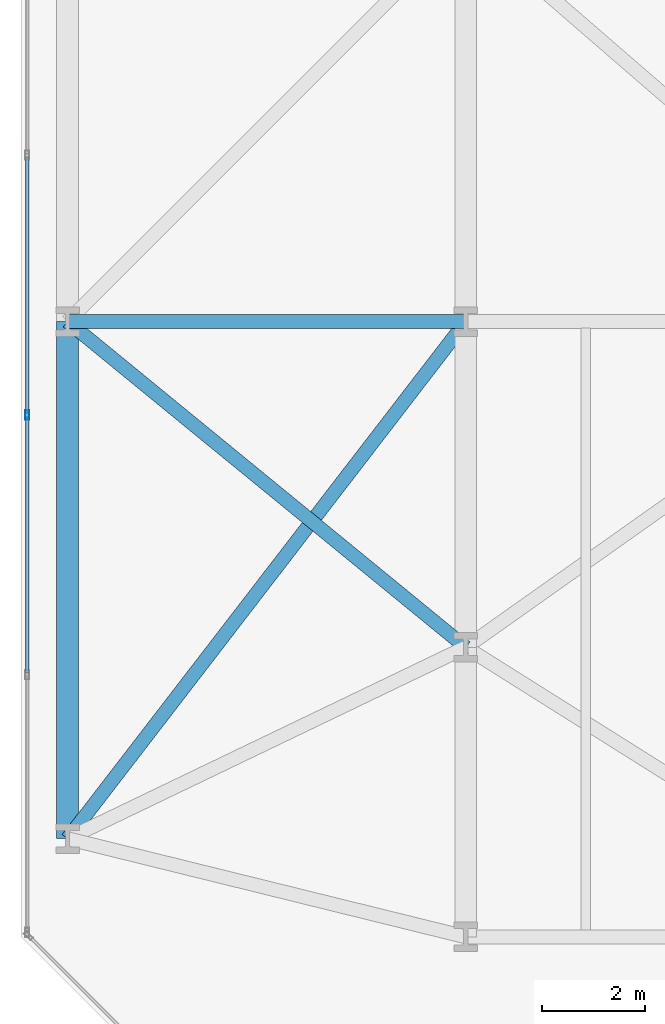
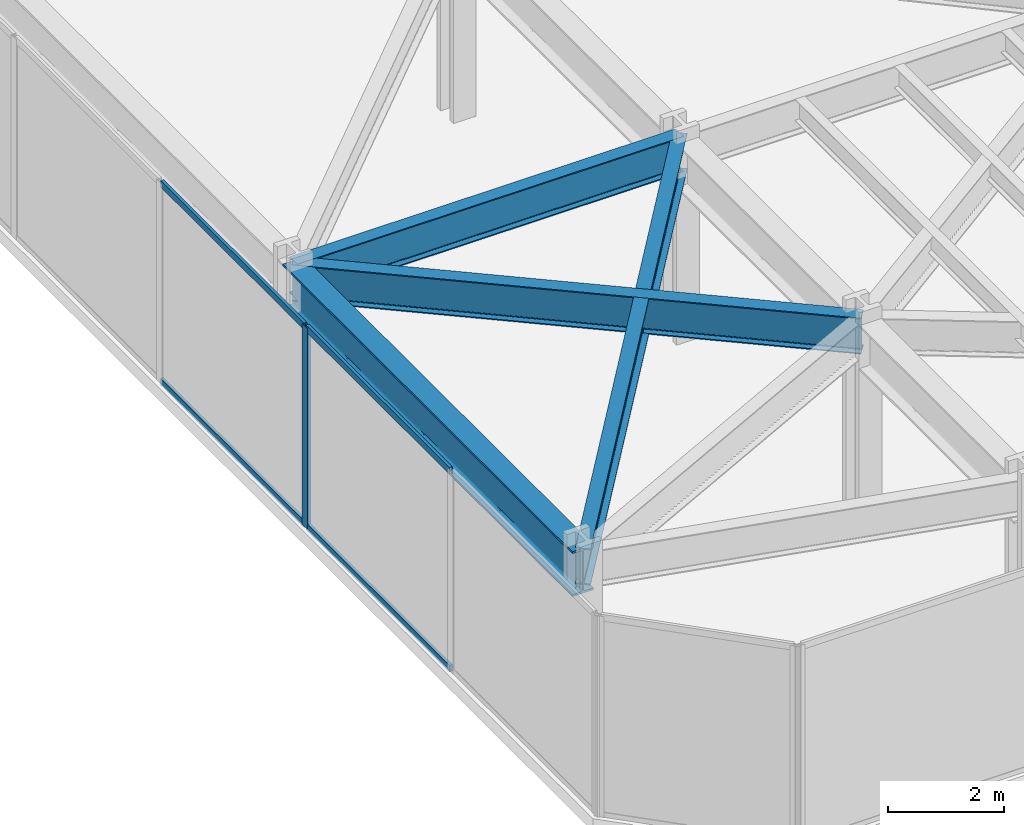
# One storey, part 4 of 28: 5 members, 4 beams, 1 element without a shape of its own.
"""IFC4 building model written with IfcOpenShell, lengths in metres."""

from ifc_helpers import new_model, si_unit, direction, frame, origin, origin_2d, place, context, subcontext, project, spatial, hollow_rectangle, i_section, extrude, material, layer, layer_set, material_profile, profile_set, type_object, element, aggregate, save


model = new_model("IFC4")

# Units and contexts
model_context = context("Model", 3, precision=1e-05, world=origin(), true_north=direction((0.0, 1.0)))
body_context = subcontext(model_context, "Body", "Model", "MODEL_VIEW")
ifc_project = project(units=[si_unit("LENGTHUNIT", "METRE"), si_unit("AREAUNIT", "SQUARE_METRE"), si_unit("VOLUMEUNIT", "CUBIC_METRE"), si_unit("PLANEANGLEUNIT", "RADIAN"), si_unit("MASSUNIT", "GRAM", prefix="KILO")], contexts=[model_context])

# Site, building, storey
site_placement = place(None, origin())
site = spatial("IfcSite", under=ifc_project, at=site_placement, CompositionType="ELEMENT")
building_placement = place(site_placement, origin())
building = spatial("IfcBuilding", under=site, at=building_placement, Name="Kravanh Interchange Tower", CompositionType="ELEMENT")
storey_placement = place(building_placement, frame((0.0, 0.0, 15.300048828125)))
storey = spatial("IfcBuildingStorey", under=building, at=storey_placement, Name="L03", CompositionType="ELEMENT", Elevation=15.300048828125)

# Curtain wall, members
ifc_material_1 = material(Name="Anodised Bronze Aluminium", Category="aluminium")
ifc_layer = layer(ifc_material_1, 0.179931640625)
ifc_layer_set = layer_set([ifc_layer], Name="Unitised Curtain Wall System CW-POD Podium Concourse")
curtain_wall_type = type_object("IfcCurtainWallType", Name="Unitised Curtain Wall System CW-POD Podium Concourse", PredefinedType="NOTDEFINED", material=ifc_layer_set)
curtain_wall_placement = place(storey_placement, origin())
curtain_wall = element("IfcCurtainWall", 1, at=curtain_wall_placement, inside=storey, type_object=curtain_wall_type, Name="L03 Unitised Curtain Wall CW-L03-01", PredefinedType="NOTDEFINED")
ifc_material_2 = material(Name="Anodised Bronze Aluminium", Category="aluminium")
ifc_material_profile_1 = material_profile(ifc_material_2, hollow_rectangle(XDim=0.070068359375, YDim=0.179931640625, WallThickness=0.00390625, at=origin_2d()), Name="ALU70X180X4")
ifc_profile_set_1 = profile_set([ifc_material_profile_1], Name="Anodised Bronze Aluminium")
member_type_1 = type_object("IfcMemberType", Name="Curtain Wall Mullion ALU70X180X4 Bronze", PredefinedType="MULLION", material=ifc_profile_set_1)
member_1_placement = place(storey_placement, frame((0.1201171875, 12.692626953125, 0.0), z_axis=(0.0, 0.0, 1.0), x_axis=(-1.0, 0.0, 0.0)))
member_1 = element("IfcMember", 2, at=member_1_placement, type_object=member_type_1, Name="CW-POD mullion 3", PredefinedType="MULLION", context=body_context, shape_type="SweptSolid", body=[
    extrude(hollow_rectangle(XDim=0.070068359375, YDim=0.179931640625, WallThickness=0.00390625, at=origin_2d()), origin(), (0.0, 0.0, 1.0), 4.22998046875),
])
ifc_material_3 = material(Name="Anodised Bronze Aluminium", Category="aluminium")
ifc_material_profile_2 = material_profile(ifc_material_3, hollow_rectangle(XDim=0.06005859375, YDim=0.139892578125, WallThickness=0.00390625, at=origin_2d()), Name="ALU60X140X4")
ifc_profile_set_2 = profile_set([ifc_material_profile_2], Name="Anodised Bronze Aluminium")
member_type_2 = type_object("IfcMemberType", Name="Curtain Wall Transom ALU60X140X4 Bronze", PredefinedType="USERDEFINED", material=ifc_profile_set_2)
member_2_placement = place(storey_placement, frame((0.1201171875, 7.7060546875, 0.030029296875), z_axis=(0.0, 1.0, 0.0), x_axis=(-1.0, 0.0, 0.0)))
member_2 = element("IfcMember", 3, at=member_2_placement, type_object=member_type_2, Name="CW-POD transom 2.1", ObjectType="TRANSOM", PredefinedType="USERDEFINED", context=body_context, shape_type="SweptSolid", body=[
    extrude(hollow_rectangle(XDim=0.06005859375, YDim=0.139892578125, WallThickness=0.00390625, at=origin_2d()), origin(), (0.0, 0.0, 1.0), 4.95166015625),
])
member_3_placement = place(storey_placement, frame((0.1201171875, 7.7060546875, 4.199951171875), z_axis=(0.0, 1.0, 0.0), x_axis=(-1.0, 0.0, 0.0)))
member_3 = element("IfcMember", 4, at=member_3_placement, type_object=member_type_2, Name="CW-POD transom 2.2", ObjectType="TRANSOM", PredefinedType="USERDEFINED", context=body_context, shape_type="SweptSolid", body=[
    extrude(hollow_rectangle(XDim=0.06005859375, YDim=0.139892578125, WallThickness=0.00390625, at=origin_2d()), origin(), (0.0, 0.0, 1.0), 4.95166015625),
])
member_4_placement = place(storey_placement, frame((0.1201171875, 12.7275390625, 0.030029296875), z_axis=(0.0, 1.0, 0.0), x_axis=(-1.0, 0.0, 0.0)))
member_4 = element("IfcMember", 5, at=member_4_placement, type_object=member_type_2, Name="CW-POD transom 3.1", ObjectType="TRANSOM", PredefinedType="USERDEFINED", context=body_context, shape_type="SweptSolid", body=[
    extrude(hollow_rectangle(XDim=0.06005859375, YDim=0.139892578125, WallThickness=0.00390625, at=origin_2d()), origin(), (0.0, 0.0, 1.0), 4.95166015625),
])
member_5_placement = place(storey_placement, frame((0.1201171875, 12.7275390625, 4.199951171875), z_axis=(0.0, 1.0, 0.0), x_axis=(-1.0, 0.0, 0.0)))
member_5 = element("IfcMember", 6, at=member_5_placement, type_object=member_type_2, Name="CW-POD transom 3.2", ObjectType="TRANSOM", PredefinedType="USERDEFINED", context=body_context, shape_type="SweptSolid", body=[
    extrude(hollow_rectangle(XDim=0.06005859375, YDim=0.139892578125, WallThickness=0.00390625, at=origin_2d()), origin(), (0.0, 0.0, 1.0), 4.95166015625),
])
aggregate(curtain_wall, [member_1, member_2, member_3, member_4, member_5])

# Beams
ifc_material_4 = material(Name="Structural Steel S450", Category="steel")
ifc_material_profile_3 = material_profile(ifc_material_4, i_section(OverallWidth=0.423095703125, OverallDepth=0.947998046875, WebThickness=0.02392578125, FlangeThickness=0.042724609375, FilletRadius=0.028076171875, at=origin_2d()), Name="W36X302")
ifc_profile_set_3 = profile_set([ifc_material_profile_3], Name="Structural Steel S450")
beam_type_1 = type_object("IfcBeamType", Name="Floor Beam W36X302 Structural Steel S450", PredefinedType="BEAM", material=ifc_profile_set_3)
beam_1_placement = place(storey_placement, frame((0.89990234375, 4.5, 3.755859375), z_axis=(0.0, 1.0, 0.0), x_axis=(-1.0, 0.0, 0.0)))
element("IfcBeam", 7, at=beam_1_placement, inside=storey, type_object=beam_type_1, Name="L03 Primary Floor Girder 122", PredefinedType="BEAM", context=body_context, shape_type="SweptSolid", body=[
    extrude(i_section(OverallWidth=0.423095703125, OverallDepth=0.947998046875, WebThickness=0.02392578125, FlangeThickness=0.042724609375, FilletRadius=0.028076171875, at=origin_2d()), origin(), (0.0, 0.0, 1.0), 10.0),
])
ifc_material_5 = material(Name="Structural Steel S355", Category="steel")
ifc_material_profile_4 = material_profile(ifc_material_5, i_section(OverallWidth=0.26708984375, OverallDepth=0.761962890625, WebThickness=0.014404296875, FlangeThickness=0.021484375, FilletRadius=0.02490234375, at=origin_2d()), Name="W30X116")
ifc_profile_set_4 = profile_set([ifc_material_profile_4], Name="Structural Steel S355")
beam_type_2 = type_object("IfcBeamType", Name="Floor Spandrel W30X116 Structural Steel S355", PredefinedType="SPANDREL", material=ifc_profile_set_4)
beam_2_placement = place(storey_placement, frame((8.60009765625, 8.199951171875, 3.848876953125), z_axis=(-0.773962765803, 0.633231108799, 0.0), x_axis=(-0.633231108799, -0.773962765803, 0.0)))
element("IfcBeam", 8, at=beam_2_placement, inside=storey, type_object=beam_type_2, Name="L03 Perimeter Spandrel 25", PredefinedType="SPANDREL", context=body_context, shape_type="SweptSolid", body=[
    extrude(i_section(OverallWidth=0.26708984375, OverallDepth=0.761962890625, WebThickness=0.014404296875, FlangeThickness=0.021484375, FilletRadius=0.02490234375, at=origin_2d()), origin(), (0.0, 0.0, 1.0), 9.948974609375),
])
beam_3_placement = place(storey_placement, frame((8.60009765625, 14.5, 3.848876953125), z_axis=(-1.0, 0.0, 0.0), x_axis=(0.0, -1.0, 0.0)))
element("IfcBeam", 9, at=beam_3_placement, inside=storey, type_object=beam_type_2, Name="L03 Perimeter Spandrel 38", PredefinedType="SPANDREL", context=body_context, shape_type="SweptSolid", body=[
    extrude(i_section(OverallWidth=0.26708984375, OverallDepth=0.761962890625, WebThickness=0.014404296875, FlangeThickness=0.021484375, FilletRadius=0.02490234375, at=origin_2d()), origin(), (0.0, 0.0, 1.0), 7.7001953125),
])
beam_4_placement = place(storey_placement, frame((8.60009765625, 14.5, 3.848876953125), z_axis=(-0.610103314761, -0.792321869771, 0.0), x_axis=(0.792321869771, -0.610103314761, 0.0)))
element("IfcBeam", 10, at=beam_4_placement, inside=storey, type_object=beam_type_2, Name="L03 Perimeter Spandrel 40", PredefinedType="SPANDREL", context=body_context, shape_type="SweptSolid", body=[
    extrude(i_section(OverallWidth=0.26708984375, OverallDepth=0.761962890625, WebThickness=0.014404296875, FlangeThickness=0.021484375, FilletRadius=0.02490234375, at=origin_2d()), origin(), (0.0, 0.0, 1.0), 12.62109375),
])

save(model, "model.ifc")
